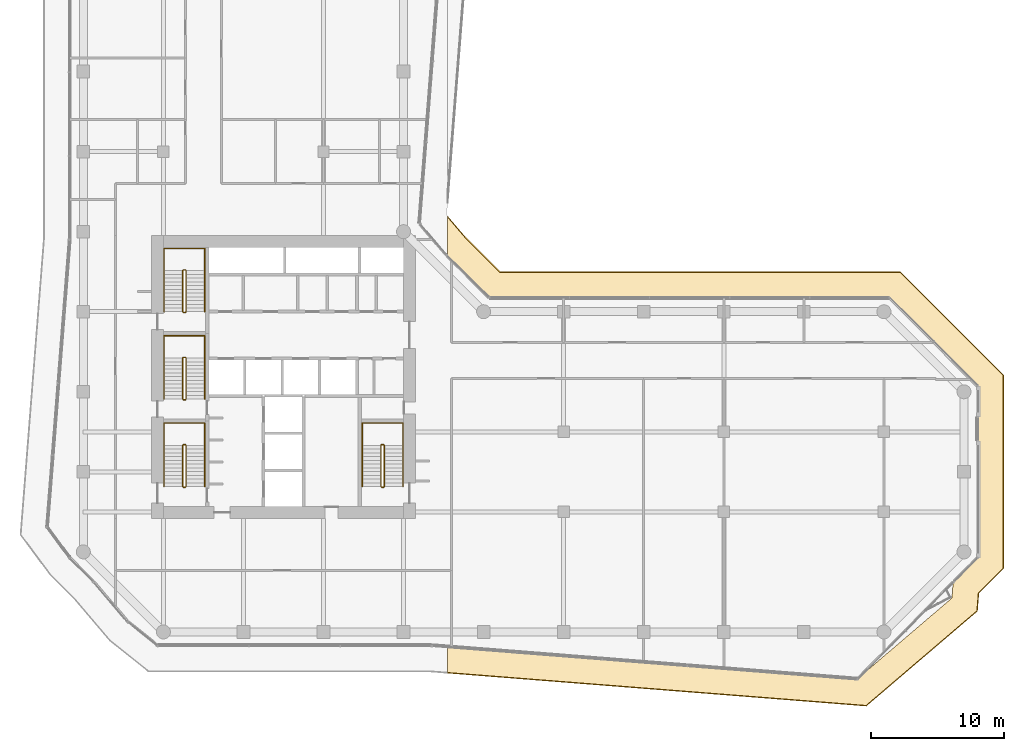
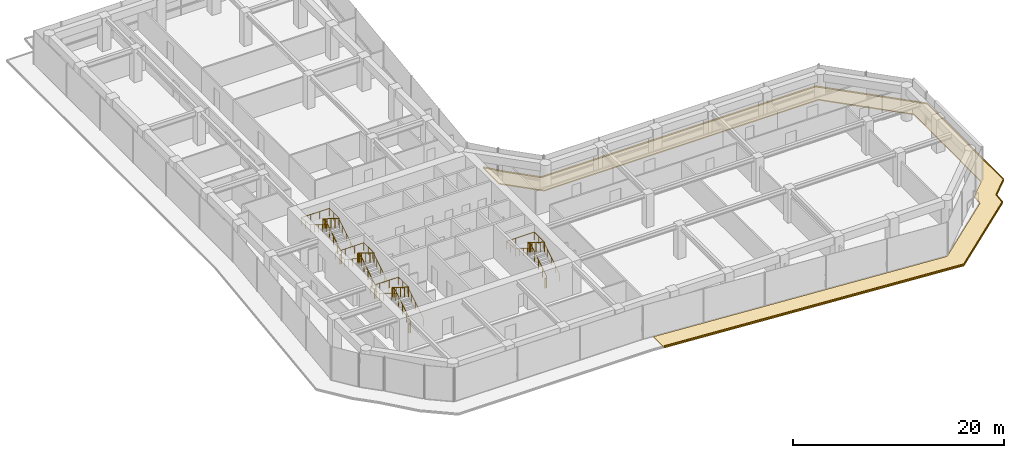
# One storey, part 28 of 29: 8 railings, 2 coverings.
"""IFC4 building model written with IfcOpenShell, lengths in metres."""

from ifc_helpers import new_model, si_unit, direction, frame, origin, origin_2d, place, context, subcontext, project, spatial, polyline, circle, outline, extrude, material, layer, layer_set, type_object, element, save


model = new_model("IFC4")

# Units and contexts
model_context = context("Model", 3, precision=1e-05, world=origin(), true_north=direction((0.0, 1.0)))
body_context = subcontext(model_context, "Body", "Model", "MODEL_VIEW")
ifc_project = project(units=[si_unit("LENGTHUNIT", "METRE"), si_unit("AREAUNIT", "SQUARE_METRE"), si_unit("VOLUMEUNIT", "CUBIC_METRE"), si_unit("PLANEANGLEUNIT", "RADIAN"), si_unit("MASSUNIT", "GRAM", prefix="KILO")], contexts=[model_context])

# Site, building, storey
site_placement = place(None, origin())
site = spatial("IfcSite", under=ifc_project, at=site_placement, CompositionType="ELEMENT")
building_placement = place(site_placement, origin())
building = spatial("IfcBuilding", under=site, at=building_placement, Name="Welwitschia Terrace Campus", CompositionType="ELEMENT")
storey_placement = place(building_placement, frame((0.0, 0.0, 33.199951171875)))
storey = spatial("IfcBuildingStorey", under=building, at=storey_placement, Name="L07", CompositionType="ELEMENT", Elevation=33.199951171875)

# Railings
ifc_material_1 = material(Name="Steel S355", Category="steel")
railing_type_1 = type_object("IfcRailingType", Name="Stair guard 1100", PredefinedType="GUARDRAIL", material=ifc_material_1)
railing_1_placement = place(storey_placement, frame((7.5, 6.85009765625, 0.0)))
element("IfcRailing", 1, at=railing_1_placement, inside=storey, type_object=railing_type_1, Name="L07 S1 stair guard", PredefinedType="GUARDRAIL", context=body_context, shape_type="SweptSolid", body=[
    extrude(circle(Radius=0.02392578125, at=origin_2d()), frame((0.0, 0.0, 1.076171875), z_axis=(1.0, 0.0, 0.0), x_axis=(0.0, 1.0, 0.0)), (0.0, 0.0, 1.0), 0.14990234375),
    extrude(circle(Radius=0.02392578125, at=origin_2d()), frame((0.14990234375, 0.0, 1.076171875), z_axis=(0.265155923931, 0.263862480399, 0.927399011991), x_axis=(-0.705375805398, 0.708833529934, 0.0)), (0.0, 0.0, 1.0), 0.188720703125),
    extrude(circle(Radius=0.02392578125, at=origin_2d()), frame((0.199951171875, 0.0498046875, 1.2509765625), z_axis=(0.0, 0.847998304005, 0.529998940003), x_axis=(-1.0, 0.0, 0.0)), (0.0, 0.0, 1.0), 3.632080078125),
    extrude(circle(Radius=0.02392578125, at=origin_2d()), frame((0.199951171875, 3.1298828125, 3.17626953125), z_axis=(-0.707106781187, 0.707106781187, 0.0), x_axis=(-0.707106781187, -0.707106781187, 0.0)), (0.0, 0.0, 1.0), 0.07080078125),
    extrude(circle(Radius=0.02392578125, at=origin_2d()), frame((0.14990234375, 3.179931640625, 3.17626953125), z_axis=(-1.0, 0.0, 0.0), x_axis=(0.0, -1.0, 0.0)), (0.0, 0.0, 1.0), 0.14990234375),
    extrude(circle(Radius=0.02392578125, at=origin_2d()), frame((0.0, 3.179931640625, 3.17626953125), z_axis=(-0.265065253269, -0.265065253269, 0.927081885822), x_axis=(0.707106781187, -0.707106781187, 0.0)), (0.0, 0.0, 1.0), 0.188720703125),
    extrude(circle(Radius=0.02392578125, at=origin_2d()), frame((-0.050048828125, 3.1298828125, 3.35107421875), z_axis=(0.0, -0.848028513186, 0.529950602248), x_axis=(1.0, 0.0, 0.0)), (0.0, 0.0, 1.0), 3.632080078125),
    extrude(circle(Radius=0.02099609375, at=origin_2d()), origin(), (0.0, 0.0, 1.0), 1.052001953125),
    extrude(circle(Radius=0.02099609375, at=origin_2d()), frame((0.14990234375, 0.0, 0.0)), (0.0, 0.0, 1.0), 1.052001953125),
    extrude(circle(Radius=0.02099609375, at=origin_2d()), frame((0.199951171875, 0.0498046875, 0.175048828125)), (0.0, 0.0, 1.0), 1.052001953125),
    extrude(circle(Radius=0.02099609375, at=origin_2d()), frame((0.199951171875, 0.81982421875, 0.65625)), (0.0, 0.0, 1.0), 1.052001953125),
    extrude(circle(Radius=0.02099609375, at=origin_2d()), frame((0.199951171875, 1.58984375, 1.1376953125)), (0.0, 0.0, 1.0), 1.052001953125),
    extrude(circle(Radius=0.02099609375, at=origin_2d()), frame((0.199951171875, 2.35986328125, 1.618896484375)), (0.0, 0.0, 1.0), 1.052001953125),
    extrude(circle(Radius=0.02099609375, at=origin_2d()), frame((0.199951171875, 3.1298828125, 2.10009765625)), (0.0, 0.0, 1.0), 1.052001953125),
    extrude(circle(Radius=0.02099609375, at=origin_2d()), frame((0.14990234375, 3.179931640625, 2.10009765625)), (0.0, 0.0, 1.0), 1.052001953125),
    extrude(circle(Radius=0.02099609375, at=origin_2d()), frame((0.0, 3.179931640625, 2.10009765625)), (0.0, 0.0, 1.0), 1.052001953125),
    extrude(circle(Radius=0.02099609375, at=origin_2d()), frame((-0.050048828125, 3.1298828125, 2.275146484375)), (0.0, 0.0, 1.0), 1.052001953125),
    extrude(circle(Radius=0.02099609375, at=origin_2d()), frame((-0.050048828125, 2.35986328125, 2.75634765625)), (0.0, 0.0, 1.0), 1.052001953125),
    extrude(circle(Radius=0.02099609375, at=origin_2d()), frame((-0.050048828125, 1.58984375, 3.237548828125)), (0.0, 0.0, 1.0), 1.052001953125),
    extrude(circle(Radius=0.02099609375, at=origin_2d()), frame((-0.050048828125, 0.81982421875, 3.71875)), (0.0, 0.0, 1.0), 1.052001953125),
    extrude(circle(Radius=0.02099609375, at=origin_2d()), frame((-0.050048828125, 0.0498046875, 4.199951171875)), (0.0, 0.0, 1.0), 1.052001953125),
])
railing_2_placement = place(storey_placement, frame((7.5, 13.39990234375, 0.0)))
element("IfcRailing", 2, at=railing_2_placement, inside=storey, type_object=railing_type_1, Name="L07 S3 stair guard", PredefinedType="GUARDRAIL", context=body_context, shape_type="SweptSolid", body=[
    extrude(circle(Radius=0.02392578125, at=origin_2d()), frame((0.0, 0.0, 1.076171875), z_axis=(1.0, 0.0, 0.0), x_axis=(0.0, 1.0, 0.0)), (0.0, 0.0, 1.0), 0.14990234375),
    extrude(circle(Radius=0.02392578125, at=origin_2d()), frame((0.14990234375, 0.0, 1.076171875), z_axis=(0.265065253269, 0.265065253269, 0.927081885822), x_axis=(-0.707106781187, 0.707106781187, 0.0)), (0.0, 0.0, 1.0), 0.188720703125),
    extrude(circle(Radius=0.02392578125, at=origin_2d()), frame((0.199951171875, 0.050048828125, 1.2509765625), z_axis=(0.0, 0.847998304005, 0.529998940003), x_axis=(-1.0, 0.0, 0.0)), (0.0, 0.0, 1.0), 3.632080078125),
    extrude(circle(Radius=0.02392578125, at=origin_2d()), frame((0.199951171875, 3.130126953125, 3.17626953125), z_axis=(-0.707106781187, 0.707106781187, 0.0), x_axis=(-0.707106781187, -0.707106781187, 0.0)), (0.0, 0.0, 1.0), 0.07080078125),
    extrude(circle(Radius=0.02392578125, at=origin_2d()), frame((0.14990234375, 3.18017578125, 3.17626953125), z_axis=(-1.0, 0.0, 0.0), x_axis=(0.0, -1.0, 0.0)), (0.0, 0.0, 1.0), 0.14990234375),
    extrude(circle(Radius=0.02392578125, at=origin_2d()), frame((0.0, 3.18017578125, 3.17626953125), z_axis=(-0.265065253269, -0.265065253269, 0.927081885822), x_axis=(0.707106781187, -0.707106781187, 0.0)), (0.0, 0.0, 1.0), 0.188720703125),
    extrude(circle(Radius=0.02392578125, at=origin_2d()), frame((-0.050048828125, 3.130126953125, 3.35107421875), z_axis=(0.0, -0.848028513186, 0.529950602248), x_axis=(1.0, 0.0, 0.0)), (0.0, 0.0, 1.0), 3.632080078125),
    extrude(circle(Radius=0.02099609375, at=origin_2d()), origin(), (0.0, 0.0, 1.0), 1.052001953125),
    extrude(circle(Radius=0.02099609375, at=origin_2d()), frame((0.14990234375, 0.0, 0.0)), (0.0, 0.0, 1.0), 1.052001953125),
    extrude(circle(Radius=0.02099609375, at=origin_2d()), frame((0.199951171875, 0.050048828125, 0.175048828125)), (0.0, 0.0, 1.0), 1.052001953125),
    extrude(circle(Radius=0.02099609375, at=origin_2d()), frame((0.199951171875, 0.820068359375, 0.65625)), (0.0, 0.0, 1.0), 1.052001953125),
    extrude(circle(Radius=0.02099609375, at=origin_2d()), frame((0.199951171875, 1.590087890625, 1.1376953125)), (0.0, 0.0, 1.0), 1.052001953125),
    extrude(circle(Radius=0.02099609375, at=origin_2d()), frame((0.199951171875, 2.360107421875, 1.618896484375)), (0.0, 0.0, 1.0), 1.052001953125),
    extrude(circle(Radius=0.02099609375, at=origin_2d()), frame((0.199951171875, 3.130126953125, 2.10009765625)), (0.0, 0.0, 1.0), 1.052001953125),
    extrude(circle(Radius=0.02099609375, at=origin_2d()), frame((0.14990234375, 3.18017578125, 2.10009765625)), (0.0, 0.0, 1.0), 1.052001953125),
    extrude(circle(Radius=0.02099609375, at=origin_2d()), frame((0.0, 3.18017578125, 2.10009765625)), (0.0, 0.0, 1.0), 1.052001953125),
    extrude(circle(Radius=0.02099609375, at=origin_2d()), frame((-0.050048828125, 3.130126953125, 2.275146484375)), (0.0, 0.0, 1.0), 1.052001953125),
    extrude(circle(Radius=0.02099609375, at=origin_2d()), frame((-0.050048828125, 2.360107421875, 2.75634765625)), (0.0, 0.0, 1.0), 1.052001953125),
    extrude(circle(Radius=0.02099609375, at=origin_2d()), frame((-0.050048828125, 1.590087890625, 3.237548828125)), (0.0, 0.0, 1.0), 1.052001953125),
    extrude(circle(Radius=0.02099609375, at=origin_2d()), frame((-0.050048828125, 0.820068359375, 3.71875)), (0.0, 0.0, 1.0), 1.052001953125),
    extrude(circle(Radius=0.02099609375, at=origin_2d()), frame((-0.050048828125, 0.050048828125, 4.199951171875)), (0.0, 0.0, 1.0), 1.052001953125),
])
railing_3_placement = place(storey_placement, frame((7.5, 19.949951171875, 0.0)))
element("IfcRailing", 3, at=railing_3_placement, inside=storey, type_object=railing_type_1, Name="L07 S4 stair guard", PredefinedType="GUARDRAIL", context=body_context, shape_type="SweptSolid", body=[
    extrude(circle(Radius=0.02392578125, at=origin_2d()), frame((0.0, 0.0, 1.076171875), z_axis=(1.0, 0.0, 0.0), x_axis=(0.0, 1.0, 0.0)), (0.0, 0.0, 1.0), 0.14990234375),
    extrude(circle(Radius=0.02392578125, at=origin_2d()), frame((0.14990234375, 0.0, 1.076171875), z_axis=(0.265065253269, 0.265065253269, 0.927081885822), x_axis=(-0.707106781187, 0.707106781187, 0.0)), (0.0, 0.0, 1.0), 0.188720703125),
    extrude(circle(Radius=0.02392578125, at=origin_2d()), frame((0.199951171875, 0.050048828125, 1.2509765625), z_axis=(0.0, 0.847998304005, 0.529998940003), x_axis=(-1.0, 0.0, 0.0)), (0.0, 0.0, 1.0), 3.632080078125),
    extrude(circle(Radius=0.02392578125, at=origin_2d()), frame((0.199951171875, 3.130126953125, 3.17626953125), z_axis=(-0.708833529934, 0.705375805398, 0.0), x_axis=(-0.705375805398, -0.708833529934, 0.0)), (0.0, 0.0, 1.0), 0.070556640625),
    extrude(circle(Radius=0.02392578125, at=origin_2d()), frame((0.14990234375, 3.179931640625, 3.17626953125), z_axis=(-1.0, 0.0, 0.0), x_axis=(0.0, -1.0, 0.0)), (0.0, 0.0, 1.0), 0.14990234375),
    extrude(circle(Radius=0.02392578125, at=origin_2d()), frame((0.0, 3.179931640625, 3.17626953125), z_axis=(-0.265155923931, -0.263862480399, 0.927399011991), x_axis=(0.705375805398, -0.708833529934, 0.0)), (0.0, 0.0, 1.0), 0.188720703125),
    extrude(circle(Radius=0.02392578125, at=origin_2d()), frame((-0.050048828125, 3.130126953125, 3.35107421875), z_axis=(0.0, -0.848028513186, 0.529950602248), x_axis=(1.0, 0.0, 0.0)), (0.0, 0.0, 1.0), 3.632080078125),
    extrude(circle(Radius=0.02099609375, at=origin_2d()), origin(), (0.0, 0.0, 1.0), 1.052001953125),
    extrude(circle(Radius=0.02099609375, at=origin_2d()), frame((0.14990234375, 0.0, 0.0)), (0.0, 0.0, 1.0), 1.052001953125),
    extrude(circle(Radius=0.02099609375, at=origin_2d()), frame((0.199951171875, 0.050048828125, 0.175048828125)), (0.0, 0.0, 1.0), 1.052001953125),
    extrude(circle(Radius=0.02099609375, at=origin_2d()), frame((0.199951171875, 0.820068359375, 0.65625)), (0.0, 0.0, 1.0), 1.052001953125),
    extrude(circle(Radius=0.02099609375, at=origin_2d()), frame((0.199951171875, 1.590087890625, 1.1376953125)), (0.0, 0.0, 1.0), 1.052001953125),
    extrude(circle(Radius=0.02099609375, at=origin_2d()), frame((0.199951171875, 2.360107421875, 1.618896484375)), (0.0, 0.0, 1.0), 1.052001953125),
    extrude(circle(Radius=0.02099609375, at=origin_2d()), frame((0.199951171875, 3.130126953125, 2.10009765625)), (0.0, 0.0, 1.0), 1.052001953125),
    extrude(circle(Radius=0.02099609375, at=origin_2d()), frame((0.14990234375, 3.179931640625, 2.10009765625)), (0.0, 0.0, 1.0), 1.052001953125),
    extrude(circle(Radius=0.02099609375, at=origin_2d()), frame((0.0, 3.179931640625, 2.10009765625)), (0.0, 0.0, 1.0), 1.052001953125),
    extrude(circle(Radius=0.02099609375, at=origin_2d()), frame((-0.050048828125, 3.130126953125, 2.275146484375)), (0.0, 0.0, 1.0), 1.052001953125),
    extrude(circle(Radius=0.02099609375, at=origin_2d()), frame((-0.050048828125, 2.360107421875, 2.75634765625)), (0.0, 0.0, 1.0), 1.052001953125),
    extrude(circle(Radius=0.02099609375, at=origin_2d()), frame((-0.050048828125, 1.590087890625, 3.237548828125)), (0.0, 0.0, 1.0), 1.052001953125),
    extrude(circle(Radius=0.02099609375, at=origin_2d()), frame((-0.050048828125, 0.820068359375, 3.71875)), (0.0, 0.0, 1.0), 1.052001953125),
    extrude(circle(Radius=0.02099609375, at=origin_2d()), frame((-0.050048828125, 0.050048828125, 4.199951171875)), (0.0, 0.0, 1.0), 1.052001953125),
])
railing_4_placement = place(storey_placement, frame((22.35009765625, 6.85009765625, 0.0)))
element("IfcRailing", 4, at=railing_4_placement, inside=storey, type_object=railing_type_1, Name="L07 S2 stair guard", PredefinedType="GUARDRAIL", context=body_context, shape_type="SweptSolid", body=[
    extrude(circle(Radius=0.02392578125, at=origin_2d()), frame((0.0, 0.0, 1.076171875), z_axis=(1.0, 0.0, 0.0), x_axis=(0.0, 1.0, 0.0)), (0.0, 0.0, 1.0), 0.14990234375),
    extrude(circle(Radius=0.02392578125, at=origin_2d()), frame((0.14990234375, 0.0, 1.076171875), z_axis=(0.265155923931, 0.263862480399, 0.927399011991), x_axis=(-0.705375805398, 0.708833529934, 0.0)), (0.0, 0.0, 1.0), 0.188720703125),
    extrude(circle(Radius=0.02392578125, at=origin_2d()), frame((0.199951171875, 0.0498046875, 1.2509765625), z_axis=(0.0, 0.847998304005, 0.529998940003), x_axis=(-1.0, 0.0, 0.0)), (0.0, 0.0, 1.0), 3.632080078125),
    extrude(circle(Radius=0.02392578125, at=origin_2d()), frame((0.199951171875, 3.1298828125, 3.17626953125), z_axis=(-0.707106781187, 0.707106781187, 0.0), x_axis=(-0.707106781187, -0.707106781187, 0.0)), (0.0, 0.0, 1.0), 0.07080078125),
    extrude(circle(Radius=0.02392578125, at=origin_2d()), frame((0.14990234375, 3.179931640625, 3.17626953125), z_axis=(-1.0, 0.0, 0.0), x_axis=(0.0, -1.0, 0.0)), (0.0, 0.0, 1.0), 0.14990234375),
    extrude(circle(Radius=0.02392578125, at=origin_2d()), frame((0.0, 3.179931640625, 3.17626953125), z_axis=(-0.265065253269, -0.265065253269, 0.927081885822), x_axis=(0.707106781187, -0.707106781187, 0.0)), (0.0, 0.0, 1.0), 0.188720703125),
    extrude(circle(Radius=0.02392578125, at=origin_2d()), frame((-0.050048828125, 3.1298828125, 3.35107421875), z_axis=(0.0, -0.848028513186, 0.529950602248), x_axis=(1.0, 0.0, 0.0)), (0.0, 0.0, 1.0), 3.632080078125),
    extrude(circle(Radius=0.02099609375, at=origin_2d()), origin(), (0.0, 0.0, 1.0), 1.052001953125),
    extrude(circle(Radius=0.02099609375, at=origin_2d()), frame((0.14990234375, 0.0, 0.0)), (0.0, 0.0, 1.0), 1.052001953125),
    extrude(circle(Radius=0.02099609375, at=origin_2d()), frame((0.199951171875, 0.0498046875, 0.175048828125)), (0.0, 0.0, 1.0), 1.052001953125),
    extrude(circle(Radius=0.02099609375, at=origin_2d()), frame((0.199951171875, 0.81982421875, 0.65625)), (0.0, 0.0, 1.0), 1.052001953125),
    extrude(circle(Radius=0.02099609375, at=origin_2d()), frame((0.199951171875, 1.58984375, 1.1376953125)), (0.0, 0.0, 1.0), 1.052001953125),
    extrude(circle(Radius=0.02099609375, at=origin_2d()), frame((0.199951171875, 2.35986328125, 1.618896484375)), (0.0, 0.0, 1.0), 1.052001953125),
    extrude(circle(Radius=0.02099609375, at=origin_2d()), frame((0.199951171875, 3.1298828125, 2.10009765625)), (0.0, 0.0, 1.0), 1.052001953125),
    extrude(circle(Radius=0.02099609375, at=origin_2d()), frame((0.14990234375, 3.179931640625, 2.10009765625)), (0.0, 0.0, 1.0), 1.052001953125),
    extrude(circle(Radius=0.02099609375, at=origin_2d()), frame((0.0, 3.179931640625, 2.10009765625)), (0.0, 0.0, 1.0), 1.052001953125),
    extrude(circle(Radius=0.02099609375, at=origin_2d()), frame((-0.050048828125, 3.1298828125, 2.275146484375)), (0.0, 0.0, 1.0), 1.052001953125),
    extrude(circle(Radius=0.02099609375, at=origin_2d()), frame((-0.050048828125, 2.35986328125, 2.75634765625)), (0.0, 0.0, 1.0), 1.052001953125),
    extrude(circle(Radius=0.02099609375, at=origin_2d()), frame((-0.050048828125, 1.58984375, 3.237548828125)), (0.0, 0.0, 1.0), 1.052001953125),
    extrude(circle(Radius=0.02099609375, at=origin_2d()), frame((-0.050048828125, 0.81982421875, 3.71875)), (0.0, 0.0, 1.0), 1.052001953125),
    extrude(circle(Radius=0.02099609375, at=origin_2d()), frame((-0.050048828125, 0.0498046875, 4.199951171875)), (0.0, 0.0, 1.0), 1.052001953125),
])
ifc_material_2 = material(Name="Steel S355", Category="steel")
railing_type_2 = type_object("IfcRailingType", Name="Stair handrail 900", PredefinedType="HANDRAIL", material=ifc_material_2)
railing_5_placement = place(storey_placement, frame((9.10009765625, 6.89990234375, 0.175048828125)))
element("IfcRailing", 5, at=railing_5_placement, inside=storey, type_object=railing_type_2, Name="L07 S1 stair handrail", PredefinedType="HANDRAIL", context=body_context, shape_type="SweptSolid", body=[
    extrude(circle(Radius=0.02392578125, at=origin_2d()), frame((0.0, 0.0, 0.8759765625), z_axis=(0.0, 0.847998304005, 0.529998940003), x_axis=(-1.0, 0.0, 0.0)), (0.0, 0.0, 1.0), 3.632080078125),
    extrude(circle(Radius=0.02392578125, at=origin_2d()), frame((0.0, 3.080078125, 2.80078125), z_axis=(0.0, 1.0, 0.0), x_axis=(-1.0, 0.0, 0.0)), (0.0, 0.0, 1.0), 1.669921875),
    extrude(circle(Radius=0.02392578125, at=origin_2d()), frame((0.0, 4.75, 2.80078125), z_axis=(-1.0, 0.0, 0.0), x_axis=(0.0, -1.0, 0.0)), (0.0, 0.0, 1.0), 3.050048828125),
    extrude(circle(Radius=0.02392578125, at=origin_2d()), frame((-3.050048828125, 4.75, 2.80078125), z_axis=(0.0, -0.99455077262, 0.104253348533), x_axis=(1.0, 0.0, 0.0)), (0.0, 0.0, 1.0), 1.678955078125),
    extrude(circle(Radius=0.02392578125, at=origin_2d()), frame((-3.050048828125, 3.080078125, 2.97607421875), z_axis=(0.0, -0.848028513186, 0.529950602248), x_axis=(1.0, 0.0, 0.0)), (0.0, 0.0, 1.0), 3.632080078125),
    extrude(circle(Radius=0.02099609375, at=origin_2d()), origin(), (0.0, 0.0, 1.0), 0.851806640625),
    extrude(circle(Radius=0.02099609375, at=origin_2d()), frame((0.0, 0.77001953125, 0.481201171875)), (0.0, 0.0, 1.0), 0.851806640625),
    extrude(circle(Radius=0.02099609375, at=origin_2d()), frame((0.0, 1.5400390625, 0.96240234375)), (0.0, 0.0, 1.0), 0.851806640625),
    extrude(circle(Radius=0.02099609375, at=origin_2d()), frame((0.0, 2.31005859375, 1.44384765625)), (0.0, 0.0, 1.0), 0.851806640625),
    extrude(circle(Radius=0.02099609375, at=origin_2d()), frame((0.0, 3.080078125, 1.925048828125)), (0.0, 0.0, 1.0), 0.851806640625),
    extrude(circle(Radius=0.02099609375, at=origin_2d()), frame((0.0, 3.9150390625, 1.925048828125)), (0.0, 0.0, 1.0), 0.851806640625),
    extrude(circle(Radius=0.02099609375, at=origin_2d()), frame((0.0, 4.75, 1.925048828125)), (0.0, 0.0, 1.0), 0.851806640625),
    extrude(circle(Radius=0.02099609375, at=origin_2d()), frame((-1.0166015625, 4.75, 1.925048828125)), (0.0, 0.0, 1.0), 0.851806640625),
    extrude(circle(Radius=0.02099609375, at=origin_2d()), frame((-2.033447265625, 4.75, 1.925048828125)), (0.0, 0.0, 1.0), 0.851806640625),
    extrude(circle(Radius=0.02099609375, at=origin_2d()), frame((-3.050048828125, 4.75, 1.925048828125)), (0.0, 0.0, 1.0), 0.851806640625),
    extrude(circle(Radius=0.02099609375, at=origin_2d()), frame((-3.050048828125, 3.9150390625, 2.0126953125)), (0.0, 0.0, 1.0), 0.851806640625),
    extrude(circle(Radius=0.02099609375, at=origin_2d()), frame((-3.050048828125, 3.080078125, 2.10009765625)), (0.0, 0.0, 1.0), 0.851806640625),
    extrude(circle(Radius=0.02099609375, at=origin_2d()), frame((-3.050048828125, 2.31005859375, 2.581298828125)), (0.0, 0.0, 1.0), 0.851806640625),
    extrude(circle(Radius=0.02099609375, at=origin_2d()), frame((-3.050048828125, 1.5400390625, 3.0625)), (0.0, 0.0, 1.0), 0.851806640625),
    extrude(circle(Radius=0.02099609375, at=origin_2d()), frame((-3.050048828125, 0.77001953125, 3.543701171875)), (0.0, 0.0, 1.0), 0.851806640625),
    extrude(circle(Radius=0.02099609375, at=origin_2d()), frame((-3.050048828125, 0.0, 4.02490234375)), (0.0, 0.0, 1.0), 0.851806640625),
])
railing_6_placement = place(storey_placement, frame((9.10009765625, 13.449951171875, 0.175048828125)))
element("IfcRailing", 6, at=railing_6_placement, inside=storey, type_object=railing_type_2, Name="L07 S3 stair handrail", PredefinedType="HANDRAIL", context=body_context, shape_type="SweptSolid", body=[
    extrude(circle(Radius=0.02392578125, at=origin_2d()), frame((0.0, 0.0, 0.8759765625), z_axis=(0.0, 0.847998304005, 0.529998940003), x_axis=(-1.0, 0.0, 0.0)), (0.0, 0.0, 1.0), 3.632080078125),
    extrude(circle(Radius=0.02392578125, at=origin_2d()), frame((0.0, 3.080078125, 2.80078125), z_axis=(0.0, 1.0, 0.0), x_axis=(-1.0, 0.0, 0.0)), (0.0, 0.0, 1.0), 1.669921875),
    extrude(circle(Radius=0.02392578125, at=origin_2d()), frame((0.0, 4.75, 2.80078125), z_axis=(-1.0, 0.0, 0.0), x_axis=(0.0, -1.0, 0.0)), (0.0, 0.0, 1.0), 3.050048828125),
    extrude(circle(Radius=0.02392578125, at=origin_2d()), frame((-3.050048828125, 4.75, 2.80078125), z_axis=(0.0, -0.99455077262, 0.104253348533), x_axis=(1.0, 0.0, 0.0)), (0.0, 0.0, 1.0), 1.678955078125),
    extrude(circle(Radius=0.02392578125, at=origin_2d()), frame((-3.050048828125, 3.080078125, 2.97607421875), z_axis=(0.0, -0.848028513186, 0.529950602248), x_axis=(1.0, 0.0, 0.0)), (0.0, 0.0, 1.0), 3.632080078125),
    extrude(circle(Radius=0.02099609375, at=origin_2d()), origin(), (0.0, 0.0, 1.0), 0.851806640625),
    extrude(circle(Radius=0.02099609375, at=origin_2d()), frame((0.0, 0.77001953125, 0.481201171875)), (0.0, 0.0, 1.0), 0.851806640625),
    extrude(circle(Radius=0.02099609375, at=origin_2d()), frame((0.0, 1.5400390625, 0.96240234375)), (0.0, 0.0, 1.0), 0.851806640625),
    extrude(circle(Radius=0.02099609375, at=origin_2d()), frame((0.0, 2.31005859375, 1.44384765625)), (0.0, 0.0, 1.0), 0.851806640625),
    extrude(circle(Radius=0.02099609375, at=origin_2d()), frame((0.0, 3.080078125, 1.925048828125)), (0.0, 0.0, 1.0), 0.851806640625),
    extrude(circle(Radius=0.02099609375, at=origin_2d()), frame((0.0, 3.9150390625, 1.925048828125)), (0.0, 0.0, 1.0), 0.851806640625),
    extrude(circle(Radius=0.02099609375, at=origin_2d()), frame((0.0, 4.75, 1.925048828125)), (0.0, 0.0, 1.0), 0.851806640625),
    extrude(circle(Radius=0.02099609375, at=origin_2d()), frame((-1.0166015625, 4.75, 1.925048828125)), (0.0, 0.0, 1.0), 0.851806640625),
    extrude(circle(Radius=0.02099609375, at=origin_2d()), frame((-2.033447265625, 4.75, 1.925048828125)), (0.0, 0.0, 1.0), 0.851806640625),
    extrude(circle(Radius=0.02099609375, at=origin_2d()), frame((-3.050048828125, 4.75, 1.925048828125)), (0.0, 0.0, 1.0), 0.851806640625),
    extrude(circle(Radius=0.02099609375, at=origin_2d()), frame((-3.050048828125, 3.9150390625, 2.0126953125)), (0.0, 0.0, 1.0), 0.851806640625),
    extrude(circle(Radius=0.02099609375, at=origin_2d()), frame((-3.050048828125, 3.080078125, 2.10009765625)), (0.0, 0.0, 1.0), 0.851806640625),
    extrude(circle(Radius=0.02099609375, at=origin_2d()), frame((-3.050048828125, 2.31005859375, 2.581298828125)), (0.0, 0.0, 1.0), 0.851806640625),
    extrude(circle(Radius=0.02099609375, at=origin_2d()), frame((-3.050048828125, 1.5400390625, 3.0625)), (0.0, 0.0, 1.0), 0.851806640625),
    extrude(circle(Radius=0.02099609375, at=origin_2d()), frame((-3.050048828125, 0.77001953125, 3.543701171875)), (0.0, 0.0, 1.0), 0.851806640625),
    extrude(circle(Radius=0.02099609375, at=origin_2d()), frame((-3.050048828125, 0.0, 4.02490234375)), (0.0, 0.0, 1.0), 0.851806640625),
])
railing_7_placement = place(storey_placement, frame((9.10009765625, 20.0, 0.175048828125)))
element("IfcRailing", 7, at=railing_7_placement, inside=storey, type_object=railing_type_2, Name="L07 S4 stair handrail", PredefinedType="HANDRAIL", context=body_context, shape_type="SweptSolid", body=[
    extrude(circle(Radius=0.02392578125, at=origin_2d()), frame((0.0, 0.0, 0.8759765625), z_axis=(0.0, 0.847998304005, 0.529998940003), x_axis=(-1.0, 0.0, 0.0)), (0.0, 0.0, 1.0), 3.632080078125),
    extrude(circle(Radius=0.02392578125, at=origin_2d()), frame((0.0, 3.080078125, 2.80078125), z_axis=(0.0, 1.0, 0.0), x_axis=(-1.0, 0.0, 0.0)), (0.0, 0.0, 1.0), 1.669921875),
    extrude(circle(Radius=0.02392578125, at=origin_2d()), frame((0.0, 4.75, 2.80078125), z_axis=(-1.0, 0.0, 0.0), x_axis=(0.0, -1.0, 0.0)), (0.0, 0.0, 1.0), 3.050048828125),
    extrude(circle(Radius=0.02392578125, at=origin_2d()), frame((-3.050048828125, 4.75, 2.80078125), z_axis=(0.0, -0.99455077262, 0.104253348533), x_axis=(1.0, 0.0, 0.0)), (0.0, 0.0, 1.0), 1.678955078125),
    extrude(circle(Radius=0.02392578125, at=origin_2d()), frame((-3.050048828125, 3.080078125, 2.97607421875), z_axis=(0.0, -0.848028513186, 0.529950602248), x_axis=(1.0, 0.0, 0.0)), (0.0, 0.0, 1.0), 3.632080078125),
    extrude(circle(Radius=0.02099609375, at=origin_2d()), origin(), (0.0, 0.0, 1.0), 0.851806640625),
    extrude(circle(Radius=0.02099609375, at=origin_2d()), frame((0.0, 0.77001953125, 0.481201171875)), (0.0, 0.0, 1.0), 0.851806640625),
    extrude(circle(Radius=0.02099609375, at=origin_2d()), frame((0.0, 1.5400390625, 0.96240234375)), (0.0, 0.0, 1.0), 0.851806640625),
    extrude(circle(Radius=0.02099609375, at=origin_2d()), frame((0.0, 2.31005859375, 1.44384765625)), (0.0, 0.0, 1.0), 0.851806640625),
    extrude(circle(Radius=0.02099609375, at=origin_2d()), frame((0.0, 3.080078125, 1.925048828125)), (0.0, 0.0, 1.0), 0.851806640625),
    extrude(circle(Radius=0.02099609375, at=origin_2d()), frame((0.0, 3.9150390625, 1.925048828125)), (0.0, 0.0, 1.0), 0.851806640625),
    extrude(circle(Radius=0.02099609375, at=origin_2d()), frame((0.0, 4.75, 1.925048828125)), (0.0, 0.0, 1.0), 0.851806640625),
    extrude(circle(Radius=0.02099609375, at=origin_2d()), frame((-1.0166015625, 4.75, 1.925048828125)), (0.0, 0.0, 1.0), 0.851806640625),
    extrude(circle(Radius=0.02099609375, at=origin_2d()), frame((-2.033447265625, 4.75, 1.925048828125)), (0.0, 0.0, 1.0), 0.851806640625),
    extrude(circle(Radius=0.02099609375, at=origin_2d()), frame((-3.050048828125, 4.75, 1.925048828125)), (0.0, 0.0, 1.0), 0.851806640625),
    extrude(circle(Radius=0.02099609375, at=origin_2d()), frame((-3.050048828125, 3.9150390625, 2.0126953125)), (0.0, 0.0, 1.0), 0.851806640625),
    extrude(circle(Radius=0.02099609375, at=origin_2d()), frame((-3.050048828125, 3.080078125, 2.10009765625)), (0.0, 0.0, 1.0), 0.851806640625),
    extrude(circle(Radius=0.02099609375, at=origin_2d()), frame((-3.050048828125, 2.31005859375, 2.581298828125)), (0.0, 0.0, 1.0), 0.851806640625),
    extrude(circle(Radius=0.02099609375, at=origin_2d()), frame((-3.050048828125, 1.5400390625, 3.0625)), (0.0, 0.0, 1.0), 0.851806640625),
    extrude(circle(Radius=0.02099609375, at=origin_2d()), frame((-3.050048828125, 0.77001953125, 3.543701171875)), (0.0, 0.0, 1.0), 0.851806640625),
    extrude(circle(Radius=0.02099609375, at=origin_2d()), frame((-3.050048828125, 0.0, 4.02490234375)), (0.0, 0.0, 1.0), 0.851806640625),
])
railing_8_placement = place(storey_placement, frame((23.949951171875, 6.89990234375, 0.175048828125)))
element("IfcRailing", 8, at=railing_8_placement, inside=storey, type_object=railing_type_2, Name="L07 S2 stair handrail", PredefinedType="HANDRAIL", context=body_context, shape_type="SweptSolid", body=[
    extrude(circle(Radius=0.02392578125, at=origin_2d()), frame((0.0, 0.0, 0.8759765625), z_axis=(0.0, 0.847998304005, 0.529998940003), x_axis=(-1.0, 0.0, 0.0)), (0.0, 0.0, 1.0), 3.632080078125),
    extrude(circle(Radius=0.02392578125, at=origin_2d()), frame((0.0, 3.080078125, 2.80078125), z_axis=(0.0, 1.0, 0.0), x_axis=(-1.0, 0.0, 0.0)), (0.0, 0.0, 1.0), 1.669921875),
    extrude(circle(Radius=0.02392578125, at=origin_2d()), frame((0.0, 4.75, 2.80078125), z_axis=(-1.0, 0.0, 0.0), x_axis=(0.0, -1.0, 0.0)), (0.0, 0.0, 1.0), 3.050048828125),
    extrude(circle(Radius=0.02392578125, at=origin_2d()), frame((-3.050048828125, 4.75, 2.80078125), z_axis=(0.0, -0.99455077262, 0.104253348533), x_axis=(1.0, 0.0, 0.0)), (0.0, 0.0, 1.0), 1.678955078125),
    extrude(circle(Radius=0.02392578125, at=origin_2d()), frame((-3.050048828125, 3.080078125, 2.97607421875), z_axis=(0.0, -0.848028513186, 0.529950602248), x_axis=(1.0, 0.0, 0.0)), (0.0, 0.0, 1.0), 3.632080078125),
    extrude(circle(Radius=0.02099609375, at=origin_2d()), origin(), (0.0, 0.0, 1.0), 0.851806640625),
    extrude(circle(Radius=0.02099609375, at=origin_2d()), frame((0.0, 0.77001953125, 0.481201171875)), (0.0, 0.0, 1.0), 0.851806640625),
    extrude(circle(Radius=0.02099609375, at=origin_2d()), frame((0.0, 1.5400390625, 0.96240234375)), (0.0, 0.0, 1.0), 0.851806640625),
    extrude(circle(Radius=0.02099609375, at=origin_2d()), frame((0.0, 2.31005859375, 1.44384765625)), (0.0, 0.0, 1.0), 0.851806640625),
    extrude(circle(Radius=0.02099609375, at=origin_2d()), frame((0.0, 3.080078125, 1.925048828125)), (0.0, 0.0, 1.0), 0.851806640625),
    extrude(circle(Radius=0.02099609375, at=origin_2d()), frame((0.0, 3.9150390625, 1.925048828125)), (0.0, 0.0, 1.0), 0.851806640625),
    extrude(circle(Radius=0.02099609375, at=origin_2d()), frame((0.0, 4.75, 1.925048828125)), (0.0, 0.0, 1.0), 0.851806640625),
    extrude(circle(Radius=0.02099609375, at=origin_2d()), frame((-1.0166015625, 4.75, 1.925048828125)), (0.0, 0.0, 1.0), 0.851806640625),
    extrude(circle(Radius=0.02099609375, at=origin_2d()), frame((-2.033447265625, 4.75, 1.925048828125)), (0.0, 0.0, 1.0), 0.851806640625),
    extrude(circle(Radius=0.02099609375, at=origin_2d()), frame((-3.050048828125, 4.75, 1.925048828125)), (0.0, 0.0, 1.0), 0.851806640625),
    extrude(circle(Radius=0.02099609375, at=origin_2d()), frame((-3.050048828125, 3.9150390625, 2.0126953125)), (0.0, 0.0, 1.0), 0.851806640625),
    extrude(circle(Radius=0.02099609375, at=origin_2d()), frame((-3.050048828125, 3.080078125, 2.10009765625)), (0.0, 0.0, 1.0), 0.851806640625),
    extrude(circle(Radius=0.02099609375, at=origin_2d()), frame((-3.050048828125, 2.31005859375, 2.581298828125)), (0.0, 0.0, 1.0), 0.851806640625),
    extrude(circle(Radius=0.02099609375, at=origin_2d()), frame((-3.050048828125, 1.5400390625, 3.0625)), (0.0, 0.0, 1.0), 0.851806640625),
    extrude(circle(Radius=0.02099609375, at=origin_2d()), frame((-3.050048828125, 0.77001953125, 3.543701171875)), (0.0, 0.0, 1.0), 0.851806640625),
    extrude(circle(Radius=0.02099609375, at=origin_2d()), frame((-3.050048828125, 0.0, 4.02490234375)), (0.0, 0.0, 1.0), 0.851806640625),
])

# Coverings
ifc_material_3 = material(Name="Bronze anodised aluminium", Category="aluminium")
ifc_layer_1 = layer(ifc_material_3, 0.1201171875)
ifc_layer_set_1 = layer_set([ifc_layer_1], Name="Bronze anodised aluminium")
covering_type_1 = type_object("IfcCoveringType", Name="Sunshade band 2000", PredefinedType="USERDEFINED", material=ifc_layer_set_1)
covering_1_placement = place(storey_placement, frame((0.0, 0.0, -0.25)))
element("IfcCovering", 9, at=covering_1_placement, inside=storey, type_object=covering_type_1, Name="SUNSHADE L07.SE1", ObjectType="SUNSHADE", PredefinedType="USERDEFINED", context=body_context, shape_type="SweptSolid", body=[
    extrude(outline(polyline([(28.665771484375, 25.576904296875), (31.24267578125, 23.0), (61.24267578125, 23.0), (69.0, 15.24267578125), (69.0, 0.75732421875), (67.130126953125, -1.1123046875), (67.025390625, -2.4443359375), (58.683349609375, -9.569091796875), (27.30615234375, -7.099609375), (27.30615234375, -5.093505859375), (58.014404296875, -7.51025390625), (65.0966796875, -1.46142578125), (65.1943359375, -0.219970703125), (67.0, 1.585693359375), (67.0, 14.414306640625), (60.414306640625, 21.0), (30.414306640625, 21.0), (27.30615234375, 24.10791015625), (27.30615234375, 27.168701171875), (28.665771484375, 25.576904296875)])), origin(), (0.0, 0.0, 1.0), 0.1201171875),
])
ifc_material_4 = material(Name="Bronze anodised aluminium", Category="aluminium")
ifc_layer_2 = layer(ifc_material_4, 0.06005859375)
ifc_layer_set_2 = layer_set([ifc_layer_2], Name="Bronze anodised aluminium")
covering_type_2 = type_object("IfcCoveringType", Name="Sunshade lip 60", PredefinedType="USERDEFINED", material=ifc_layer_set_2)
covering_2_placement = place(storey_placement, frame((0.0, 0.0, -0.1298828125)))
element("IfcCovering", 10, at=covering_2_placement, inside=storey, type_object=covering_type_2, Name="SUNSHADE LIP L07.SE1.0", ObjectType="SUNSHADE", PredefinedType="USERDEFINED", context=body_context, shape_type="SweptSolid", body=[
    extrude(outline(polyline([(31.24267578125, 23.0), (61.24267578125, 23.0), (69.0, 15.24267578125), (69.0, 0.75732421875), (67.130126953125, -1.1123046875), (67.025390625, -2.4443359375), (58.683349609375, -9.569091796875), (27.30615234375, -7.099609375), (27.30615234375, -7.03955078125), (58.6630859375, -9.50732421875), (66.967529296875, -2.414794921875), (67.072021484375, -1.085693359375), (68.93994140625, 0.7822265625), (68.93994140625, 15.2177734375), (61.2177734375, 22.93994140625), (31.2177734375, 22.93994140625), (28.621826171875, 25.535888671875), (27.30615234375, 27.076416015625), (27.30615234375, 27.168701171875), (28.665771484375, 25.576904296875), (31.24267578125, 23.0)])), origin(), (0.0, 0.0, 1.0), 0.1298828125),
])

save(model, "model.ifc")
